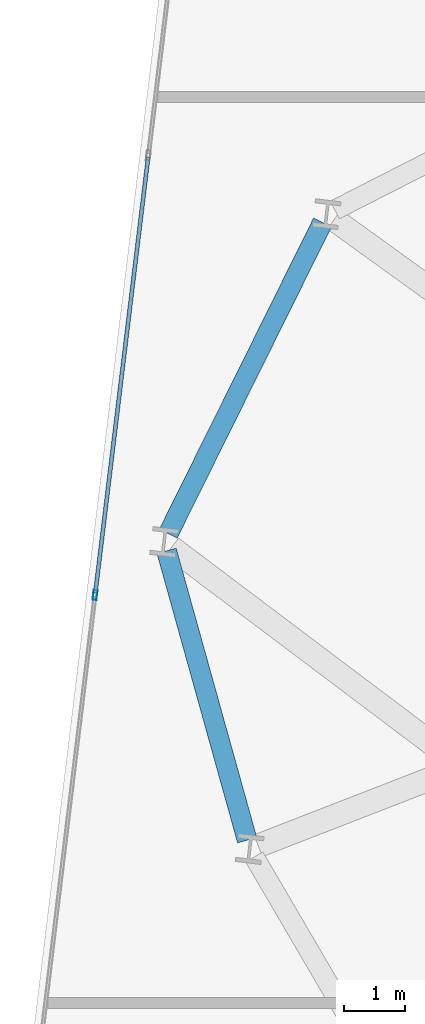
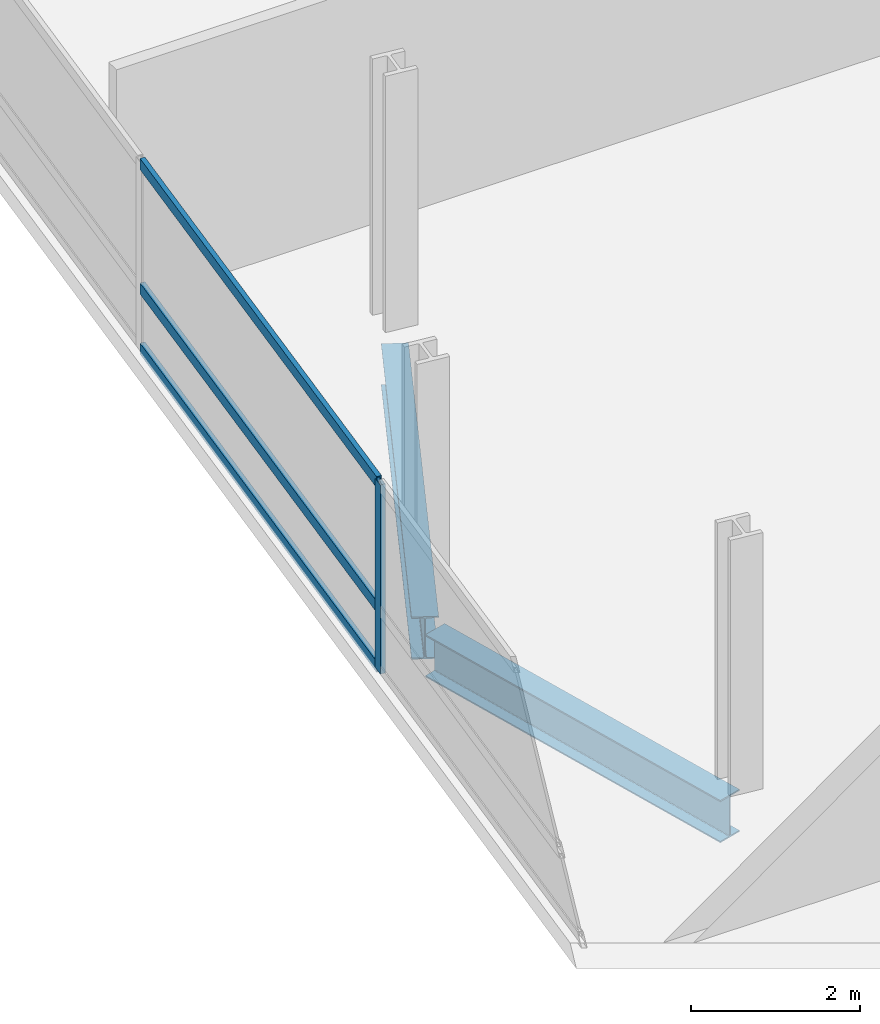
# One storey, part 8 of 26: 4 members, 2 beams, 1 element without a shape of its own.
"""IFC4 building model written with IfcOpenShell, lengths in metres."""

from ifc_helpers import new_model, si_unit, direction, frame, origin, origin_2d, place, context, subcontext, project, spatial, hollow_rectangle, i_section, extrude, material, layer, layer_set, material_profile, profile_set, type_object, element, aggregate, save


model = new_model("IFC4")

# Units and contexts
model_context = context("Model", 3, precision=1e-05, world=origin(), true_north=direction((0.0, 1.0)))
body_context = subcontext(model_context, "Body", "Model", "MODEL_VIEW")
ifc_project = project(units=[si_unit("LENGTHUNIT", "METRE"), si_unit("AREAUNIT", "SQUARE_METRE"), si_unit("VOLUMEUNIT", "CUBIC_METRE"), si_unit("PLANEANGLEUNIT", "RADIAN"), si_unit("MASSUNIT", "GRAM", prefix="KILO")], contexts=[model_context])

# Site, building, storey
site_placement = place(None, origin())
site = spatial("IfcSite", under=ifc_project, at=site_placement, CompositionType="ELEMENT")
building_placement = place(site_placement, origin())
building = spatial("IfcBuilding", under=site, at=building_placement, Name="Varnelok Gate Tower", CompositionType="ELEMENT")
storey_placement = place(building_placement, frame((0.0, 0.0, 125.39990234375)))
storey = spatial("IfcBuildingStorey", under=building, at=storey_placement, Name="L31", CompositionType="ELEMENT", Elevation=125.39990234375)

# Beams
ifc_material_1 = material(Name="Structural Steel ASTM A992 Grade 50", Category="steel")
ifc_material_profile_1 = material_profile(ifc_material_1, i_section(OverallWidth=0.323974609375, OverallDepth=0.611083984375, WebThickness=0.0126953125, FlangeThickness=0.01904296875, FilletRadius=0.01806640625, at=origin_2d()), Name="W24X104")
ifc_profile_set_1 = profile_set([ifc_material_profile_1], Name="Structural Steel ASTM A992 Grade 50")
beam_type = type_object("IfcBeamType", Name="BM-SPN-W24X104", PredefinedType="SPANDREL", material=ifc_profile_set_1)
beam_1_placement = place(storey_placement, frame((6.54052734375, 39.391357421875, -0.555419921875), z_axis=(-0.444186129993, -0.89593452993, 0.0), x_axis=(0.89593452993, -0.444186129993, 0.0)))
element("IfcBeam", 1, at=beam_1_placement, inside=storey, type_object=beam_type, Name="L31 Perimeter Spandrel Beam 14", PredefinedType="SPANDREL", context=body_context, shape_type="SweptSolid", body=[
    extrude(i_section(OverallWidth=0.323974609375, OverallDepth=0.611083984375, WebThickness=0.0126953125, FlangeThickness=0.01904296875, FilletRadius=0.01806640625, at=origin_2d()), origin(), (0.0, 0.0, 1.0), 5.649658203125),
])
beam_2_placement = place(storey_placement, frame((4.004638671875, 34.050537109375, -0.555419921875), z_axis=(0.268350251133, -0.963321411948, 0.0), x_axis=(0.963321411948, 0.268350251133, 0.0)))
element("IfcBeam", 2, at=beam_2_placement, inside=storey, type_object=beam_type, Name="L31 Perimeter Spandrel Beam 15", PredefinedType="SPANDREL", context=body_context, shape_type="SweptSolid", body=[
    extrude(i_section(OverallWidth=0.323974609375, OverallDepth=0.611083984375, WebThickness=0.0126953125, FlangeThickness=0.01904296875, FilletRadius=0.01806640625, at=origin_2d()), origin(), (0.0, 0.0, 1.0), 4.8837890625),
])

# Curtain wall, members
ifc_material_2 = material(Name="Anodized Aluminum Alloy 6063-T6", Category="aluminium")
ifc_layer = layer(ifc_material_2, 0.179931640625)
ifc_layer_set = layer_set([ifc_layer], Name="Anodized Aluminum Alloy 6063-T6")
curtain_wall_type = type_object("IfcCurtainWallType", Name="CW3-HOTEL-VISION", PredefinedType="USERDEFINED", material=ifc_layer_set)
curtain_wall_placement = place(storey_placement, origin())
curtain_wall = element("IfcCurtainWall", 3, at=curtain_wall_placement, inside=storey, type_object=curtain_wall_type, Name="L31 West End Vision Curtain Wall", ObjectType="UNITISED CURTAIN WALL", PredefinedType="USERDEFINED")
ifc_material_profile_2 = material_profile(ifc_material_2, hollow_rectangle(XDim=0.06494140625, YDim=0.159912109375, WallThickness=0.00390625, at=origin_2d()), Name="ALU160X65X4")
ifc_profile_set_2 = profile_set([ifc_material_profile_2], Name="Anodized Aluminum Alloy 6063-T6")
member_type_1 = type_object("IfcMemberType", Name="CW-MULL-160", PredefinedType="MULLION", material=ifc_profile_set_2)
member_1_placement = place(storey_placement, frame((2.842529296875, 33.333740234375, 0.0), z_axis=(0.0, 0.0, 1.0), x_axis=(-0.99273188146, 0.120347046212, 0.0)))
member_1 = element("IfcMember", 4, at=member_1_placement, type_object=member_type_1, Name="CW3 mullion 4", PredefinedType="MULLION", context=body_context, shape_type="SweptSolid", body=[
    extrude(hollow_rectangle(XDim=0.06494140625, YDim=0.159912109375, WallThickness=0.00390625, at=origin_2d()), origin(), (0.0, 0.0, 1.0), 2.72998046875),
])
ifc_material_profile_3 = material_profile(ifc_material_2, hollow_rectangle(XDim=0.06494140625, YDim=0.159912109375, WallThickness=0.00390625, at=origin_2d()), Name="ALU160X65X4")
ifc_profile_set_3 = profile_set([ifc_material_profile_3], Name="Anodized Aluminum Alloy 6063-T6")
member_type_2 = type_object("IfcMemberType", Name="CW-TRAN-160", PredefinedType="USERDEFINED", material=ifc_profile_set_3)
member_2_placement = place(storey_placement, frame((2.846435546875, 33.3662109375, 0.03271484375), z_axis=(0.120344652138, 0.992732171687, 0.0), x_axis=(-0.992732171687, 0.120344652138, 0.0)))
member_2 = element("IfcMember", 5, at=member_2_placement, type_object=member_type_2, Name="CW3 transom 4.1", ObjectType="TRANSOM", PredefinedType="USERDEFINED", context=body_context, shape_type="SweptSolid", body=[
    extrude(hollow_rectangle(XDim=0.06494140625, YDim=0.159912109375, WallThickness=0.00390625, at=origin_2d()), origin(), (0.0, 0.0, 1.0), 7.134765625),
])
member_3_placement = place(storey_placement, frame((2.846435546875, 33.3662109375, 0.900146484375), z_axis=(0.120344652138, 0.992732171687, 0.0), x_axis=(-0.992732171687, 0.120344652138, 0.0)))
member_3 = element("IfcMember", 6, at=member_3_placement, type_object=member_type_2, Name="CW3 transom 4.2", ObjectType="TRANSOM", PredefinedType="USERDEFINED", context=body_context, shape_type="SweptSolid", body=[
    extrude(hollow_rectangle(XDim=0.06494140625, YDim=0.159912109375, WallThickness=0.00390625, at=origin_2d()), origin(), (0.0, 0.0, 1.0), 7.134765625),
])
member_4_placement = place(storey_placement, frame((2.846435546875, 33.3662109375, 2.697509765625), z_axis=(0.120344652138, 0.992732171687, 0.0), x_axis=(-0.992732171687, 0.120344652138, 0.0)))
member_4 = element("IfcMember", 7, at=member_4_placement, type_object=member_type_2, Name="CW3 transom 4.3", ObjectType="TRANSOM", PredefinedType="USERDEFINED", context=body_context, shape_type="SweptSolid", body=[
    extrude(hollow_rectangle(XDim=0.06494140625, YDim=0.159912109375, WallThickness=0.00390625, at=origin_2d()), origin(), (0.0, 0.0, 1.0), 7.134765625),
])
aggregate(curtain_wall, [member_1, member_2, member_3, member_4])

save(model, "model.ifc")
